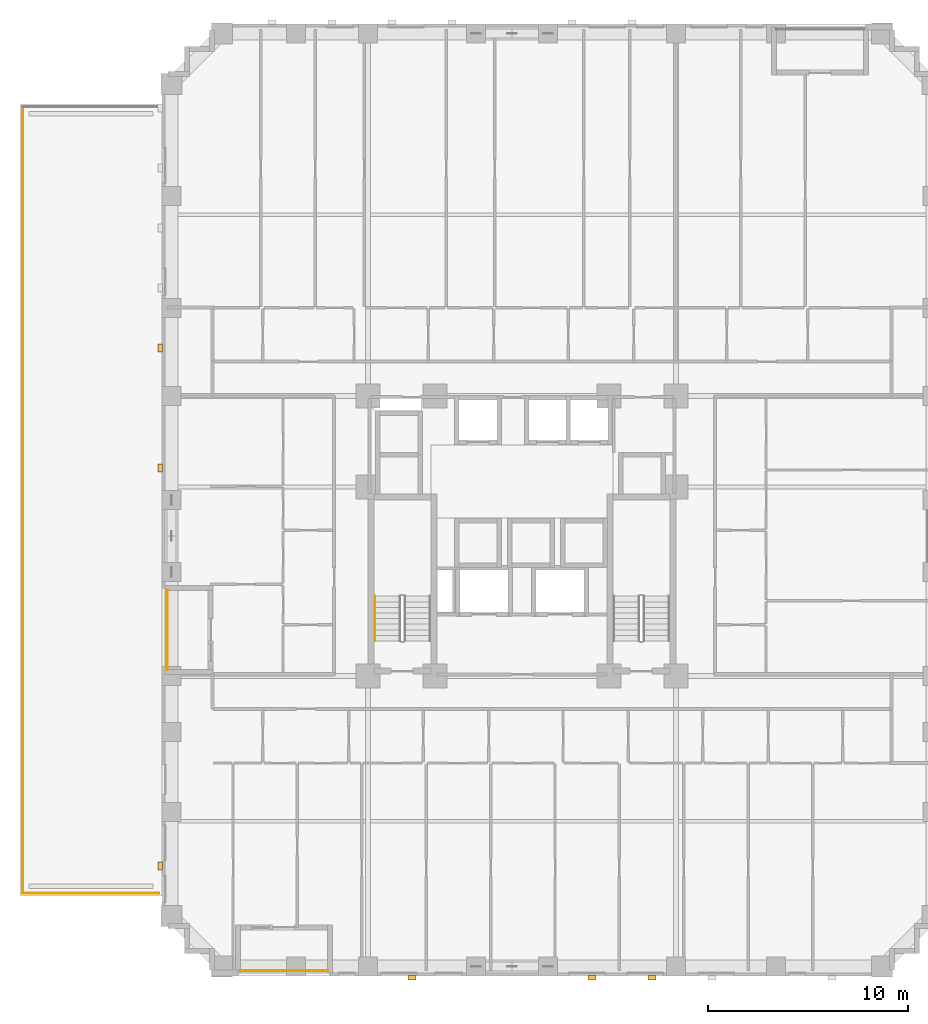
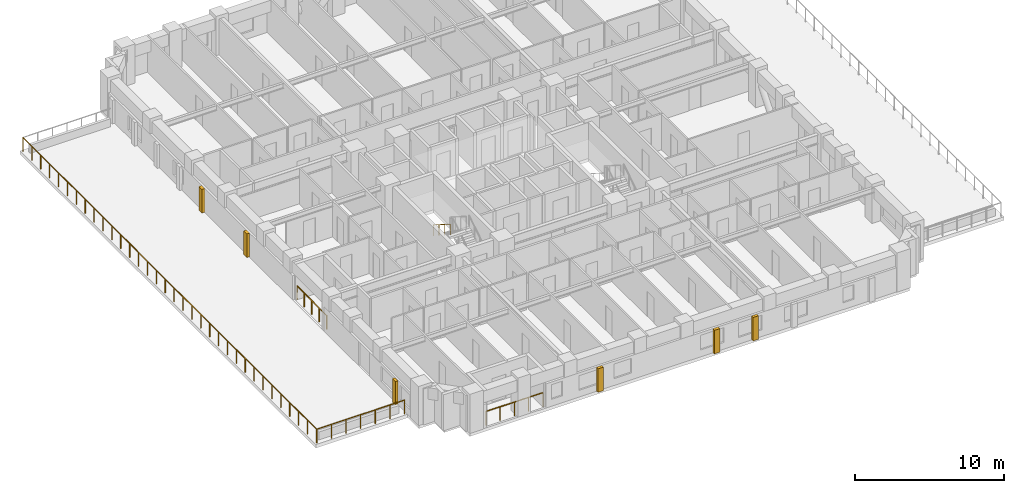
# One storey, part 12 of 14: 6 coverings, 5 railings.
"""IFC4 building model written with IfcOpenShell, lengths in metres."""

from ifc_helpers import new_model, si_unit, derived_unit, direction, frame, origin, origin_2d, place, context, subcontext, project, spatial, rectangle, circle, extrude, material, layer, layer_set, type_object, element, save


model = new_model("IFC4")

# Units and contexts
model_context = context("Model", 3, precision=1e-05, world=origin(), true_north=direction((0.0, 1.0)))
body_context = subcontext(model_context, "Body", "Model", "MODEL_VIEW")
ifc_project = project(units=[si_unit("LENGTHUNIT", "METRE"), si_unit("AREAUNIT", "SQUARE_METRE"), si_unit("VOLUMEUNIT", "CUBIC_METRE"), si_unit("PLANEANGLEUNIT", "RADIAN"), si_unit("MASSUNIT", "GRAM", prefix="KILO"), derived_unit("THERMALTRANSMITTANCEUNIT", [(si_unit("MASSUNIT", "GRAM", prefix="KILO"), 1), (si_unit("TIMEUNIT", "SECOND"), -3), (si_unit("THERMODYNAMICTEMPERATUREUNIT", "KELVIN"), -1)])], contexts=[model_context])

# Site, building, storey
site_placement = place(None, origin())
site = spatial("IfcSite", under=ifc_project, at=site_placement, CompositionType="ELEMENT")
building_placement = place(site_placement, origin())
building = spatial("IfcBuilding", under=site, at=building_placement, Name="Korrvale Station Residences", CompositionType="ELEMENT")
storey_placement = place(building_placement, frame((0.0, 0.0, 25.800048828125)))
storey = spatial("IfcBuildingStorey", under=building, at=storey_placement, Name="L05", CompositionType="ELEMENT", Elevation=25.800048828125)

# Coverings
ifc_material_1 = material(Name="Architectural precast concrete C45/55", Category="concrete")
ifc_layer = layer(ifc_material_1, 0.219970703125, Name="Architectural precast concrete C45/55")
ifc_layer_set = layer_set([ifc_layer], Name="Architectural precast concrete C45/55")
covering_type = type_object("IfcCoveringType", Name="COV-PIER-400", PredefinedType="CLADDING", material=ifc_layer_set)
for number, where, z_axis, x_axis, name in (
    (1, (32.0, -0.090087890625, 0.02490234375), (0.0, 0.0, 1.0), (1.0, 0.0, 0.0), "L05 Architectural Precast Facade Pier 03"),
    (2, (29.0, -0.090087890625, 0.02490234375), (0.0, 0.0, 1.0), (1.0, 0.0, 0.0), "L05 Architectural Precast Facade Pier 04"),
    (3, (20.0, -0.090087890625, 0.02490234375), (0.0, 0.0, 1.0), (1.0, 0.0, 0.0), "L05 Architectural Precast Facade Pier 05"),
    (4, (7.409912109375, 5.5, 0.02490234375), (0.0, 0.0, 1.0), (0.0, 1.0, 0.0), "L05 Architectural Precast Facade Pier 12"),
    (5, (7.409912109375, 25.39990234375, 0.02490234375), (0.0, 0.0, 1.0), (0.0, 1.0, 0.0), "L05 Architectural Precast Facade Pier 13"),
    (6, (7.409912109375, 31.39990234375, 0.02490234375), (0.0, 0.0, 1.0), (0.0, 1.0, 0.0), "L05 Architectural Precast Facade Pier 14"),
):
    element("IfcCovering", number, at=place(storey_placement, frame(where, z_axis=z_axis, x_axis=x_axis)), inside=storey, type_object=covering_type, Name=name, PredefinedType="CLADDING", context=body_context, shape_type="SweptSolid", body=[
        extrude(rectangle(XDim=0.419921875, YDim=0.219970703125, at=origin_2d()), origin(), (0.0, 0.0, 1.0), 1.925048828125),
    ])

# Railings
ifc_material_2 = material(Name="Powder-coated aluminium picket loggia guard", Category="aluminium")
railing_type_1 = type_object("IfcRailingType", Name="RLG-BAL-1150", PredefinedType="GUARDRAIL", material=ifc_material_2)
railing_1_placement = place(storey_placement, frame((11.39990234375, 0.27001953125, 0.0)))
element("IfcRailing", 7, at=railing_1_placement, inside=storey, type_object=railing_type_1, Name="L05 Recessed Loggia Guardrail BAL-L05-S1", PredefinedType="GUARDRAIL", context=body_context, shape_type="SweptSolid", body=[
    extrude(circle(Radius=0.02392578125, at=origin_2d()), frame((0.0, 0.0, 1.1259765625), z_axis=(1.0, 0.0, 0.0), x_axis=(0.0, 1.0, 0.0)), (0.0, 0.0, 1.0), 4.400146484375),
    extrude(circle(Radius=0.02099609375, at=origin_2d()), origin(), (0.0, 0.0, 1.0), 1.101806640625),
    extrude(circle(Radius=0.02099609375, at=origin_2d()), frame((1.10009765625, 0.0, 0.0)), (0.0, 0.0, 1.0), 1.101806640625),
    extrude(circle(Radius=0.02099609375, at=origin_2d()), frame((2.2001953125, 0.0, 0.0)), (0.0, 0.0, 1.0), 1.101806640625),
    extrude(circle(Radius=0.02099609375, at=origin_2d()), frame((3.300048828125, 0.0, 0.0)), (0.0, 0.0, 1.0), 1.101806640625),
    extrude(circle(Radius=0.02099609375, at=origin_2d()), frame((4.400146484375, 0.0, 0.0)), (0.0, 0.0, 1.0), 1.101806640625),
])
railing_2_placement = place(storey_placement, frame((7.77001953125, 15.300048828125, 0.0)))
element("IfcRailing", 8, at=railing_2_placement, inside=storey, type_object=railing_type_1, Name="L05 Recessed Loggia Guardrail BAL-L05-W1", PredefinedType="GUARDRAIL", context=body_context, shape_type="SweptSolid", body=[
    extrude(circle(Radius=0.02392578125, at=origin_2d()), frame((0.0, 0.0, 1.1259765625), z_axis=(0.0, 1.0, 0.0), x_axis=(-1.0, 0.0, 0.0)), (0.0, 0.0, 1.0), 4.0),
    extrude(circle(Radius=0.02099609375, at=origin_2d()), origin(), (0.0, 0.0, 1.0), 1.101806640625),
    extrude(circle(Radius=0.02099609375, at=origin_2d()), frame((0.0, 1.0, 0.0)), (0.0, 0.0, 1.0), 1.101806640625),
    extrude(circle(Radius=0.02099609375, at=origin_2d()), frame((0.0, 2.0, 0.0)), (0.0, 0.0, 1.0), 1.101806640625),
    extrude(circle(Radius=0.02099609375, at=origin_2d()), frame((0.0, 3.0, 0.0)), (0.0, 0.0, 1.0), 1.101806640625),
    extrude(circle(Radius=0.02099609375, at=origin_2d()), frame((0.0, 4.0, 0.0)), (0.0, 0.0, 1.0), 1.101806640625),
])
ifc_material_3 = material(Name="Brushed stainless-steel continuous stair handrail", Category="steel")
railing_type_2 = type_object("IfcRailingType", Name="RLG-SHND-900", PredefinedType="HANDRAIL", material=ifc_material_3)
railing_3_placement = place(storey_placement, frame((18.14990234375, 18.989990234375, 1.77783203125)))
element("IfcRailing", 9, at=railing_3_placement, inside=storey, type_object=railing_type_2, Name="L05 ST-1 stair handrail 2", PredefinedType="HANDRAIL", context=body_context, shape_type="SweptSolid", body=[
    extrude(circle(Radius=0.02392578125, at=origin_2d()), frame((0.0, 0.0, 0.8759765625), z_axis=(0.0, -0.8442293374, 0.53598211339), x_axis=(1.0, 0.0, 0.0)), (0.0, 0.0, 1.0), 2.6533203125),
    extrude(circle(Radius=0.02099609375, at=origin_2d()), origin(), (0.0, 0.0, 1.0), 0.851806640625),
    extrude(circle(Radius=0.02099609375, at=origin_2d()), frame((0.0, -0.74658203125, 0.47412109375)), (0.0, 0.0, 1.0), 0.851806640625),
    extrude(circle(Radius=0.02099609375, at=origin_2d()), frame((0.0, -1.493408203125, 0.947998046875)), (0.0, 0.0, 1.0), 0.851806640625),
    extrude(circle(Radius=0.02099609375, at=origin_2d()), frame((0.0, -2.239990234375, 1.422119140625)), (0.0, 0.0, 1.0), 0.851806640625),
])
ifc_material_4 = material(Name="Laminated safety glass and stainless steel balustrade", Category="steel")
railing_type_3 = type_object("IfcRailingType", Name="RLG-TER-1150", PredefinedType="GUARDRAIL", material=ifc_material_4)
railing_4_placement = place(storey_placement, frame((0.56005859375, 4.139892578125, 0.0)))
element("IfcRailing", 10, at=railing_4_placement, inside=storey, type_object=railing_type_3, Name="L05 Setback Terrace Perimeter Guard TER-L05-W-S", PredefinedType="GUARDRAIL", context=body_context, shape_type="SweptSolid", body=[
    extrude(circle(Radius=0.02392578125, at=origin_2d()), frame((0.0, 0.0, 1.1259765625), z_axis=(1.0, 0.0, 0.0), x_axis=(0.0, 1.0, 0.0)), (0.0, 0.0, 1.0), 6.780029296875),
    extrude(circle(Radius=0.02099609375, at=origin_2d()), origin(), (0.0, 0.0, 1.0), 1.101806640625),
    extrude(circle(Radius=0.02099609375, at=origin_2d()), frame((1.1298828125, 0.0, 0.0)), (0.0, 0.0, 1.0), 1.101806640625),
    extrude(circle(Radius=0.02099609375, at=origin_2d()), frame((2.260009765625, 0.0, 0.0)), (0.0, 0.0, 1.0), 1.101806640625),
    extrude(circle(Radius=0.02099609375, at=origin_2d()), frame((3.39013671875, 0.0, 0.0)), (0.0, 0.0, 1.0), 1.101806640625),
    extrude(circle(Radius=0.02099609375, at=origin_2d()), frame((4.52001953125, 0.0, 0.0)), (0.0, 0.0, 1.0), 1.101806640625),
    extrude(circle(Radius=0.02099609375, at=origin_2d()), frame((5.64990234375, 0.0, 0.0)), (0.0, 0.0, 1.0), 1.101806640625),
    extrude(circle(Radius=0.02099609375, at=origin_2d()), frame((6.780029296875, 0.0, 0.0)), (0.0, 0.0, 1.0), 1.101806640625),
])
railing_5_placement = place(storey_placement, frame((0.5400390625, 4.159912109375, 0.0)))
element("IfcRailing", 11, at=railing_5_placement, inside=storey, type_object=railing_type_3, Name="L05 Setback Terrace Perimeter Guard TER-L05-W-W", PredefinedType="GUARDRAIL", context=body_context, shape_type="SweptSolid", body=[
    extrude(circle(Radius=0.02392578125, at=origin_2d()), frame((0.0, 0.0, 1.1259765625), z_axis=(0.0, 1.0, 0.0), x_axis=(-1.0, 0.0, 0.0)), (0.0, 0.0, 1.0), 39.280029296875),
    extrude(circle(Radius=0.02099609375, at=origin_2d()), origin(), (0.0, 0.0, 1.0), 1.101806640625),
    extrude(circle(Radius=0.02099609375, at=origin_2d()), frame((0.0, 1.190185546875, 0.0)), (0.0, 0.0, 1.0), 1.101806640625),
    extrude(circle(Radius=0.02099609375, at=origin_2d()), frame((0.0, 2.380615234375, 0.0)), (0.0, 0.0, 1.0), 1.101806640625),
    extrude(circle(Radius=0.02099609375, at=origin_2d()), frame((0.0, 3.57080078125, 0.0)), (0.0, 0.0, 1.0), 1.101806640625),
    extrude(circle(Radius=0.02099609375, at=origin_2d()), frame((0.0, 4.76123046875, 0.0)), (0.0, 0.0, 1.0), 1.101806640625),
    extrude(circle(Radius=0.02099609375, at=origin_2d()), frame((0.0, 5.951416015625, 0.0)), (0.0, 0.0, 1.0), 1.101806640625),
    extrude(circle(Radius=0.02099609375, at=origin_2d()), frame((0.0, 7.141845703125, 0.0)), (0.0, 0.0, 1.0), 1.101806640625),
    extrude(circle(Radius=0.02099609375, at=origin_2d()), frame((0.0, 8.33203125, 0.0)), (0.0, 0.0, 1.0), 1.101806640625),
    extrude(circle(Radius=0.02099609375, at=origin_2d()), frame((0.0, 9.5224609375, 0.0)), (0.0, 0.0, 1.0), 1.101806640625),
    extrude(circle(Radius=0.02099609375, at=origin_2d()), frame((0.0, 10.712646484375, 0.0)), (0.0, 0.0, 1.0), 1.101806640625),
    extrude(circle(Radius=0.02099609375, at=origin_2d()), frame((0.0, 11.903076171875, 0.0)), (0.0, 0.0, 1.0), 1.101806640625),
    extrude(circle(Radius=0.02099609375, at=origin_2d()), frame((0.0, 13.09326171875, 0.0)), (0.0, 0.0, 1.0), 1.101806640625),
    extrude(circle(Radius=0.02099609375, at=origin_2d()), frame((0.0, 14.28369140625, 0.0)), (0.0, 0.0, 1.0), 1.101806640625),
    extrude(circle(Radius=0.02099609375, at=origin_2d()), frame((0.0, 15.473876953125, 0.0)), (0.0, 0.0, 1.0), 1.101806640625),
    extrude(circle(Radius=0.02099609375, at=origin_2d()), frame((0.0, 16.664306640625, 0.0)), (0.0, 0.0, 1.0), 1.101806640625),
    extrude(circle(Radius=0.02099609375, at=origin_2d()), frame((0.0, 17.8544921875, 0.0)), (0.0, 0.0, 1.0), 1.101806640625),
    extrude(circle(Radius=0.02099609375, at=origin_2d()), frame((0.0, 19.044921875, 0.0)), (0.0, 0.0, 1.0), 1.101806640625),
    extrude(circle(Radius=0.02099609375, at=origin_2d()), frame((0.0, 20.235107421875, 0.0)), (0.0, 0.0, 1.0), 1.101806640625),
    extrude(circle(Radius=0.02099609375, at=origin_2d()), frame((0.0, 21.425537109375, 0.0)), (0.0, 0.0, 1.0), 1.101806640625),
    extrude(circle(Radius=0.02099609375, at=origin_2d()), frame((0.0, 22.61572265625, 0.0)), (0.0, 0.0, 1.0), 1.101806640625),
    extrude(circle(Radius=0.02099609375, at=origin_2d()), frame((0.0, 23.80615234375, 0.0)), (0.0, 0.0, 1.0), 1.101806640625),
    extrude(circle(Radius=0.02099609375, at=origin_2d()), frame((0.0, 24.996337890625, 0.0)), (0.0, 0.0, 1.0), 1.101806640625),
    extrude(circle(Radius=0.02099609375, at=origin_2d()), frame((0.0, 26.186767578125, 0.0)), (0.0, 0.0, 1.0), 1.101806640625),
    extrude(circle(Radius=0.02099609375, at=origin_2d()), frame((0.0, 27.376953125, 0.0)), (0.0, 0.0, 1.0), 1.101806640625),
    extrude(circle(Radius=0.02099609375, at=origin_2d()), frame((0.0, 28.5673828125, 0.0)), (0.0, 0.0, 1.0), 1.101806640625),
    extrude(circle(Radius=0.02099609375, at=origin_2d()), frame((0.0, 29.757568359375, 0.0)), (0.0, 0.0, 1.0), 1.101806640625),
    extrude(circle(Radius=0.02099609375, at=origin_2d()), frame((0.0, 30.947998046875, 0.0)), (0.0, 0.0, 1.0), 1.101806640625),
    extrude(circle(Radius=0.02099609375, at=origin_2d()), frame((0.0, 32.13818359375, 0.0)), (0.0, 0.0, 1.0), 1.101806640625),
    extrude(circle(Radius=0.02099609375, at=origin_2d()), frame((0.0, 33.32861328125, 0.0)), (0.0, 0.0, 1.0), 1.101806640625),
    extrude(circle(Radius=0.02099609375, at=origin_2d()), frame((0.0, 34.518798828125, 0.0)), (0.0, 0.0, 1.0), 1.101806640625),
    extrude(circle(Radius=0.02099609375, at=origin_2d()), frame((0.0, 35.709228515625, 0.0)), (0.0, 0.0, 1.0), 1.101806640625),
    extrude(circle(Radius=0.02099609375, at=origin_2d()), frame((0.0, 36.8994140625, 0.0)), (0.0, 0.0, 1.0), 1.101806640625),
    extrude(circle(Radius=0.02099609375, at=origin_2d()), frame((0.0, 38.08984375, 0.0)), (0.0, 0.0, 1.0), 1.101806640625),
    extrude(circle(Radius=0.02099609375, at=origin_2d()), frame((0.0, 39.280029296875, 0.0)), (0.0, 0.0, 1.0), 1.101806640625),
])

save(model, "model.ifc")
